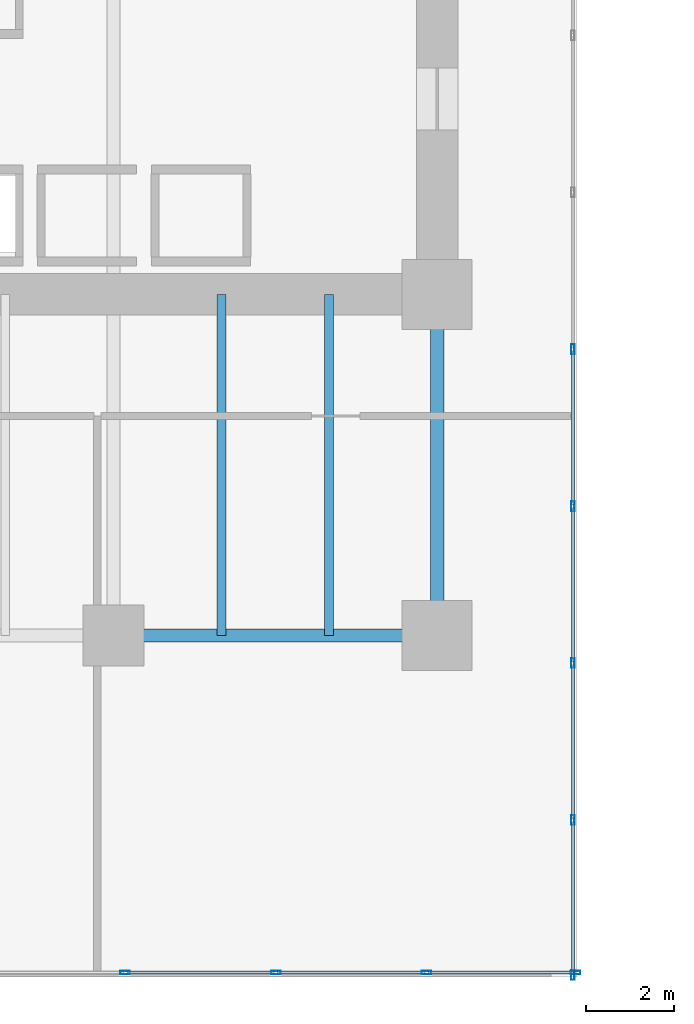
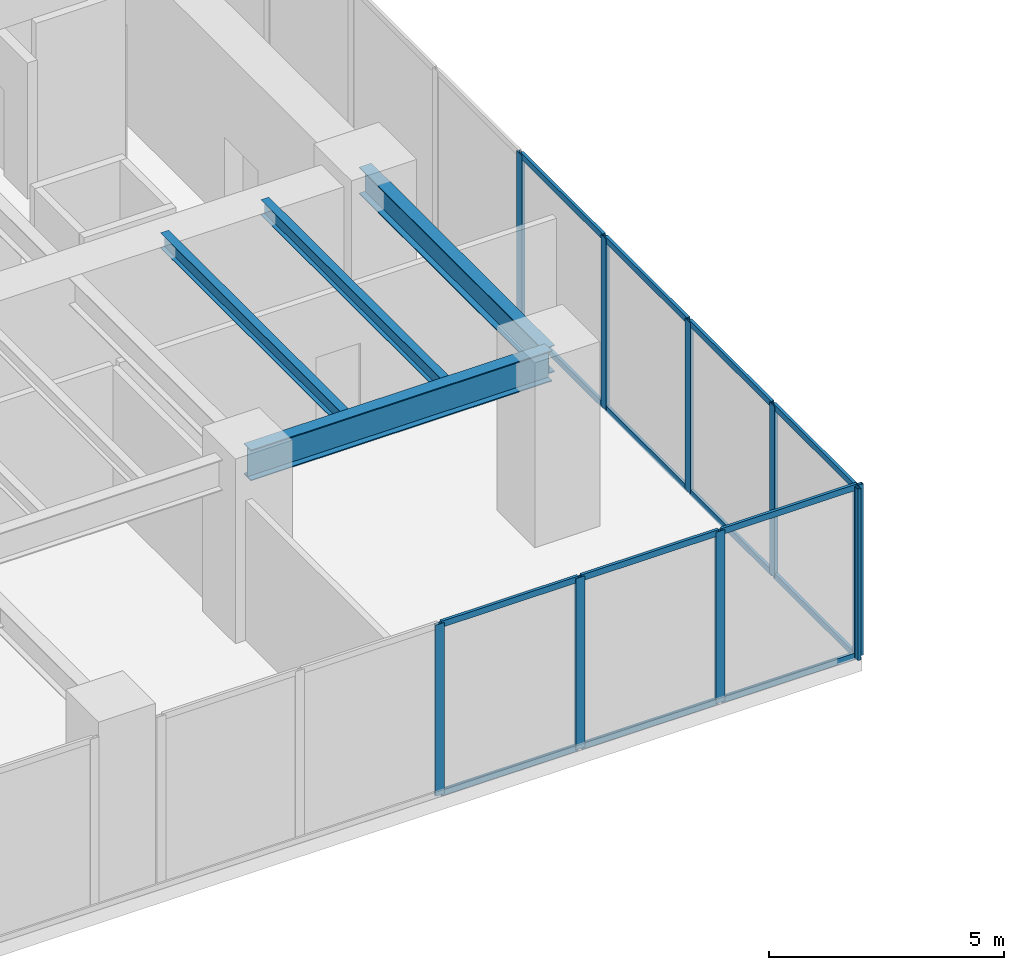
# One storey, part 4 of 32: 23 members, 4 beams, 2 elements without a shape of their own.
"""IFC4 building model written with IfcOpenShell, lengths in metres."""

from ifc_helpers import new_model, si_unit, direction, frame, origin, origin_2d, place, context, subcontext, project, spatial, hollow_rectangle, i_section, extrude, source, transform, mapped, material, layer, layer_set, material_profile, profile_set, type_object, type_shapes, element, aggregate, save


model = new_model("IFC4")

# Units and contexts
model_context = context("Model", 3, precision=1e-05, world=origin(), true_north=direction((0.0, 1.0)))
body_context = subcontext(model_context, "Body", "Model", "MODEL_VIEW")
ifc_project = project(units=[si_unit("LENGTHUNIT", "METRE"), si_unit("AREAUNIT", "SQUARE_METRE"), si_unit("VOLUMEUNIT", "CUBIC_METRE"), si_unit("PLANEANGLEUNIT", "RADIAN"), si_unit("MASSUNIT", "GRAM", prefix="KILO")], contexts=[model_context])

# Site, building, storey
site_placement = place(None, origin())
site = spatial("IfcSite", under=ifc_project, at=site_placement, CompositionType="ELEMENT")
building_placement = place(site_placement, origin())
building = spatial("IfcBuilding", under=site, at=building_placement, Name="Haelvirn Gate Laboratories", CompositionType="ELEMENT")
storey_placement = place(building_placement, frame((0.0, 0.0, 5.39990234375)))
storey = spatial("IfcBuildingStorey", under=building, at=storey_placement, Name="L02", CompositionType="ELEMENT", Elevation=5.39990234375)

# Beams
ifc_material_1 = material(Name="Steel SM420", Category="steel")
ifc_material_profile_1 = material_profile(ifc_material_1, i_section(OverallWidth=0.300048828125, OverallDepth=0.800048828125, WebThickness=0.013916015625, FlangeThickness=0.02587890625, at=origin_2d()), Name="H-800x300x14x26")
ifc_profile_set_1 = profile_set([ifc_material_profile_1], Name="Steel SM420")
beam_type_1 = type_object("IfcBeamType", Name="BM-G-800", PredefinedType="BEAM", material=ifc_profile_set_1)
shared_shape_1 = source(origin(), body_context, "Body", "SweptSolid", [
    extrude(i_section(OverallWidth=0.300048828125, OverallDepth=0.800048828125, WebThickness=0.013916015625, FlangeThickness=0.02587890625, at=origin_2d()), origin(), (0.0, 0.0, 1.0), 7.39990234375),
])
type_shapes(beam_type_1, [shared_shape_1])
beam_1_placement = place(storey_placement, frame((14.800048828125, 7.0, 4.050048828125), z_axis=(1.0, 0.0, 0.0), x_axis=(0.0, 1.0, 0.0)))
element("IfcBeam", 1, at=beam_1_placement, inside=storey, type_object=beam_type_1, Name="L02 Primary Girder Y7.0 (14.8-22.2)", PredefinedType="BEAM", context=body_context, shape_type="MappedRepresentation", body=[
    mapped(shared_shape_1, transform((0.0, 0.0, 0.0), scale=1.0)),
])
ifc_material_2 = material(Name="Steel SM355", Category="steel")
ifc_material_profile_2 = material_profile(ifc_material_2, i_section(OverallWidth=0.199951171875, OverallDepth=0.39990234375, WebThickness=0.008056640625, FlangeThickness=0.012939453125, at=origin_2d()), Name="H-400x200x8x13")
ifc_profile_set_2 = profile_set([ifc_material_profile_2], Name="Steel SM355")
beam_type_2 = type_object("IfcBeamType", Name="BM-J-400", PredefinedType="JOIST", material=ifc_profile_set_2)
shared_shape_2 = source(origin(), body_context, "Body", "SweptSolid", [
    extrude(i_section(OverallWidth=0.199951171875, OverallDepth=0.39990234375, WebThickness=0.008056640625, FlangeThickness=0.012939453125, at=origin_2d()), origin(), (0.0, 0.0, 1.0), 7.800048828125),
])
type_shapes(beam_type_2, [shared_shape_2])
for number, where, z_axis, x_axis, name in (
    (2, (17.27001953125, 7.0, 4.25), (0.0, 1.0, 0.0), (-1.0, 0.0, 0.0), "L02 Composite Lab Joist South X17.27"),
    (3, (19.72998046875, 7.0, 4.25), (0.0, 1.0, 0.0), (-1.0, 0.0, 0.0), "L02 Composite Lab Joist South X19.73"),
):
    element("IfcBeam", number, at=place(storey_placement, frame(where, z_axis=z_axis, x_axis=x_axis)), inside=storey, type_object=beam_type_2, Name=name, PredefinedType="JOIST", context=body_context, shape_type="MappedRepresentation", body=[
        mapped(shared_shape_2, transform((0.0, 0.0, 0.0), scale=1.0)),
    ])
ifc_material_profile_3 = material_profile(ifc_material_2, i_section(OverallWidth=0.300048828125, OverallDepth=0.699951171875, WebThickness=0.012939453125, FlangeThickness=0.02392578125, at=origin_2d()), Name="H-700x300x13x24")
ifc_profile_set_3 = profile_set([ifc_material_profile_3], Name="Steel SM355")
beam_type_3 = type_object("IfcBeamType", Name="BM-G-700", PredefinedType="BEAM", material=ifc_profile_set_3)
shared_shape_3 = source(origin(), body_context, "Body", "SweptSolid", [
    extrude(i_section(OverallWidth=0.300048828125, OverallDepth=0.699951171875, WebThickness=0.012939453125, FlangeThickness=0.02392578125, at=origin_2d()), origin(), (0.0, 0.0, 1.0), 7.800048828125),
])
type_shapes(beam_type_3, [shared_shape_3])
beam_2_placement = place(storey_placement, frame((22.199951171875, 7.0, 4.10009765625), z_axis=(0.0, 1.0, 0.0), x_axis=(-1.0, 0.0, 0.0)))
element("IfcBeam", 4, at=beam_2_placement, inside=storey, type_object=beam_type_3, Name="L02 Frame Girder X22.2 (7.0-14.8)", PredefinedType="BEAM", context=body_context, shape_type="MappedRepresentation", body=[
    mapped(shared_shape_3, transform((0.0, 0.0, 0.0), scale=1.0)),
])

# Curtain wall, members
ifc_material_3 = material(Name="Anodised bronze unitised aluminium & triple low-E glass", Category="aluminium")
ifc_layer = layer(ifc_material_3, 0.18798828125, Name="CW-SYS-1")
ifc_layer_set = layer_set([ifc_layer], Name="Anodised bronze unitised aluminium & triple low-E glass")
curtain_wall_type = type_object("IfcCurtainWallType", Name="CW-SYS-1", PredefinedType="NOTDEFINED", material=ifc_layer_set)
curtain_wall_1_placement = place(storey_placement, origin())
curtain_wall_1 = element("IfcCurtainWall", 5, at=curtain_wall_1_placement, inside=storey, type_object=curtain_wall_type, Name="L02 Unitised Curtain Wall CW-L02-P0-E00-1-S2", PredefinedType="NOTDEFINED")
ifc_material_4 = material(Name="Extruded aluminium 6063-T6 (anodised bronze)", Category="aluminium")
ifc_material_profile_4 = material_profile(ifc_material_4, hollow_rectangle(XDim=0.080078125, YDim=0.219970703125, WallThickness=0.006103515625, at=origin_2d()), Name="CWM-220x80x6")
ifc_profile_set_4 = profile_set([ifc_material_profile_4], Name="Extruded aluminium 6063-T6 (anodised bronze)")
member_type_1 = type_object("IfcMemberType", Name="CWM-T220", PredefinedType="MULLION", material=ifc_profile_set_4)
shared_shape_4 = source(origin(), body_context, "Body", "SweptSolid", [
    extrude(hollow_rectangle(XDim=0.080078125, YDim=0.219970703125, WallThickness=0.006103515625, at=origin_2d()), origin(), (0.0, 0.0, 1.0), 4.4501953125),
])
type_shapes(member_type_1, [shared_shape_4])
member_1_placement = place(storey_placement, frame((15.068115234375, -0.699951171875, 0.0), z_axis=(0.0, 0.0, 1.0), x_axis=(0.0, 1.0, 0.0)))
member_1 = element("IfcMember", 6, at=member_1_placement, type_object=member_type_1, Name="CW1 mullion 3", PredefinedType="MULLION", context=body_context, shape_type="MappedRepresentation", body=[
    mapped(shared_shape_4, transform((0.0, 0.0, 0.0), scale=1.0)),
])
member_2_placement = place(storey_placement, frame((18.511962890625, -0.699951171875, 0.0), z_axis=(0.0, 0.0, 1.0), x_axis=(0.0, 1.0, 0.0)))
member_2 = element("IfcMember", 7, at=member_2_placement, type_object=member_type_1, Name="CW1 mullion 4", PredefinedType="MULLION", context=body_context, shape_type="MappedRepresentation", body=[
    mapped(shared_shape_4, transform((0.0, 0.0, 0.0), scale=1.0)),
])
member_3_placement = place(storey_placement, frame((21.9560546875, -0.699951171875, 0.0), z_axis=(0.0, 0.0, 1.0), x_axis=(0.0, 1.0, 0.0)))
member_3 = element("IfcMember", 8, at=member_3_placement, type_object=member_type_1, Name="CW1 mullion 5", PredefinedType="MULLION", context=body_context, shape_type="MappedRepresentation", body=[
    mapped(shared_shape_4, transform((0.0, 0.0, 0.0), scale=1.0)),
])
member_4_placement = place(storey_placement, frame((25.360107421875, -0.699951171875, 0.0), z_axis=(0.0, 0.0, 1.0), x_axis=(0.0, 1.0, 0.0)))
member_4 = element("IfcMember", 9, at=member_4_placement, type_object=member_type_1, Name="CW1 mullion 6", PredefinedType="MULLION", context=body_context, shape_type="MappedRepresentation", body=[
    mapped(shared_shape_4, transform((0.0, 0.0, 0.0), scale=1.0)),
])

curtain_wall_2_placement = place(storey_placement, origin())
curtain_wall_2 = element("IfcCurtainWall", 10, at=curtain_wall_2_placement, inside=storey, type_object=curtain_wall_type, Name="L02 Unitised Curtain Wall CW-L02-P0-E01", PredefinedType="NOTDEFINED")
member_5_placement = place(storey_placement, frame((25.300048828125, -0.760009765625, 0.0), z_axis=(0.0, 0.0, 1.0), x_axis=(-1.0, 0.0, 0.0)))
member_5 = element("IfcMember", 11, at=member_5_placement, type_object=member_type_1, Name="CW1 mullion 1", PredefinedType="MULLION", context=body_context, shape_type="MappedRepresentation", body=[
    mapped(shared_shape_4, transform((0.0, 0.0, 0.0), scale=1.0)),
])
member_6_placement = place(storey_placement, frame((25.300048828125, 2.78564453125, 0.0), z_axis=(0.0, 0.0, 1.0), x_axis=(-1.0, 0.0, 0.0)))
member_6 = element("IfcMember", 12, at=member_6_placement, type_object=member_type_1, Name="CW1 mullion 2", PredefinedType="MULLION", context=body_context, shape_type="MappedRepresentation", body=[
    mapped(shared_shape_4, transform((0.0, 0.0, 0.0), scale=1.0)),
])
member_7_placement = place(storey_placement, frame((25.300048828125, 6.371337890625, 0.0), z_axis=(0.0, 0.0, 1.0), x_axis=(-1.0, 0.0, 0.0)))
member_7 = element("IfcMember", 13, at=member_7_placement, type_object=member_type_1, Name="CW1 mullion 3", PredefinedType="MULLION", context=body_context, shape_type="MappedRepresentation", body=[
    mapped(shared_shape_4, transform((0.0, 0.0, 0.0), scale=1.0)),
])
member_8_placement = place(storey_placement, frame((25.300048828125, 9.95703125, 0.0), z_axis=(0.0, 0.0, 1.0), x_axis=(-1.0, 0.0, 0.0)))
member_8 = element("IfcMember", 14, at=member_8_placement, type_object=member_type_1, Name="CW1 mullion 4", PredefinedType="MULLION", context=body_context, shape_type="MappedRepresentation", body=[
    mapped(shared_shape_4, transform((0.0, 0.0, 0.0), scale=1.0)),
])
member_9_placement = place(storey_placement, frame((25.300048828125, 13.54296875, 0.0), z_axis=(0.0, 0.0, 1.0), x_axis=(-1.0, 0.0, 0.0)))
member_9 = element("IfcMember", 15, at=member_9_placement, type_object=member_type_1, Name="CW1 mullion 5", PredefinedType="MULLION", context=body_context, shape_type="MappedRepresentation", body=[
    mapped(shared_shape_4, transform((0.0, 0.0, 0.0), scale=1.0)),
])

# Member
ifc_material_profile_5 = material_profile(ifc_material_4, hollow_rectangle(XDim=0.070068359375, YDim=0.159912109375, WallThickness=0.0048828125, at=origin_2d()), Name="CWT-160x70x5")
ifc_profile_set_5 = profile_set([ifc_material_profile_5], Name="Extruded aluminium 6063-T6 (anodised bronze)")
member_type_2 = type_object("IfcMemberType", Name="CWT-T160", PredefinedType="USERDEFINED", material=ifc_profile_set_5)
shared_shape_5 = source(origin(), body_context, "Body", "SweptSolid", [
    extrude(hollow_rectangle(XDim=0.070068359375, YDim=0.159912109375, WallThickness=0.0048828125, at=origin_2d()), origin(), (0.0, 0.0, 1.0), 3.323974609375),
])
member_10_placement = place(storey_placement, frame((21.99609375, -0.699951171875, 0.03515625), z_axis=(1.0, 0.0, 0.0), x_axis=(0.0, 1.0, 0.0)))
member_10 = element("IfcMember", 16, at=member_10_placement, type_object=member_type_2, Name="CW1 transom 5.1", ObjectType="TRANSOM", PredefinedType="USERDEFINED", context=body_context, shape_type="MappedRepresentation", body=[
    mapped(shared_shape_5, transform((0.0, 0.0, 0.0), scale=1.0)),
])

member_11_placement = place(storey_placement, frame((21.99609375, -0.699951171875, 4.4150390625), z_axis=(1.0, 0.0, 0.0), x_axis=(0.0, 1.0, 0.0)))
member_11 = element("IfcMember", 17, at=member_11_placement, type_object=member_type_2, Name="CW1 transom 5.2", ObjectType="TRANSOM", PredefinedType="USERDEFINED", context=body_context, shape_type="MappedRepresentation", body=[
    mapped(shared_shape_5, transform((0.0, 0.0, 0.0), scale=1.0)),
])

shared_shape_6 = source(origin(), body_context, "Body", "SweptSolid", [
    extrude(hollow_rectangle(XDim=0.070068359375, YDim=0.159912109375, WallThickness=0.0048828125, at=origin_2d()), origin(), (0.0, 0.0, 1.0), 3.364013671875),
])
member_12_placement = place(storey_placement, frame((15.10791015625, -0.699951171875, 0.03515625), z_axis=(1.0, 0.0, 0.0), x_axis=(0.0, 1.0, 0.0)))
member_12 = element("IfcMember", 18, at=member_12_placement, type_object=member_type_2, Name="CW1 transom 3.1", ObjectType="TRANSOM", PredefinedType="USERDEFINED", context=body_context, shape_type="MappedRepresentation", body=[
    mapped(shared_shape_6, transform((0.0, 0.0, 0.0), scale=1.0)),
])

member_13_placement = place(storey_placement, frame((15.10791015625, -0.699951171875, 4.4150390625), z_axis=(1.0, 0.0, 0.0), x_axis=(0.0, 1.0, 0.0)))
member_13 = element("IfcMember", 19, at=member_13_placement, type_object=member_type_2, Name="CW1 transom 3.2", ObjectType="TRANSOM", PredefinedType="USERDEFINED", context=body_context, shape_type="MappedRepresentation", body=[
    mapped(shared_shape_6, transform((0.0, 0.0, 0.0), scale=1.0)),
])

member_14_placement = place(storey_placement, frame((18.552001953125, -0.699951171875, 0.03515625), z_axis=(1.0, 0.0, 0.0), x_axis=(0.0, 1.0, 0.0)))
member_14 = element("IfcMember", 20, at=member_14_placement, type_object=member_type_2, Name="CW1 transom 4.1", ObjectType="TRANSOM", PredefinedType="USERDEFINED", context=body_context, shape_type="MappedRepresentation", body=[
    mapped(shared_shape_6, transform((0.0, 0.0, 0.0), scale=1.0)),
])

member_15_placement = place(storey_placement, frame((18.552001953125, -0.699951171875, 4.4150390625), z_axis=(1.0, 0.0, 0.0), x_axis=(0.0, 1.0, 0.0)))
member_15 = element("IfcMember", 21, at=member_15_placement, type_object=member_type_2, Name="CW1 transom 4.2", ObjectType="TRANSOM", PredefinedType="USERDEFINED", context=body_context, shape_type="MappedRepresentation", body=[
    mapped(shared_shape_6, transform((0.0, 0.0, 0.0), scale=1.0)),
])

aggregate(curtain_wall_1, [member_1, member_2, member_3, member_4, member_12, member_13, member_14, member_15, member_10, member_11])

shared_shape_7 = source(origin(), body_context, "Body", "SweptSolid", [
    extrude(hollow_rectangle(XDim=0.070068359375, YDim=0.159912109375, WallThickness=0.0048828125, at=origin_2d()), origin(), (0.0, 0.0, 1.0), 3.465576171875),
])
member_16_placement = place(storey_placement, frame((25.300048828125, -0.719970703125, 0.03515625), z_axis=(0.0, 1.0, 0.0), x_axis=(-1.0, 0.0, 0.0)))
member_16 = element("IfcMember", 22, at=member_16_placement, type_object=member_type_2, Name="CW1 transom 1.1", ObjectType="TRANSOM", PredefinedType="USERDEFINED", context=body_context, shape_type="MappedRepresentation", body=[
    mapped(shared_shape_7, transform((0.0, 0.0, 0.0), scale=1.0)),
])

member_17_placement = place(storey_placement, frame((25.300048828125, -0.719970703125, 4.4150390625), z_axis=(0.0, 1.0, 0.0), x_axis=(-1.0, 0.0, 0.0)))
member_17 = element("IfcMember", 23, at=member_17_placement, type_object=member_type_2, Name="CW1 transom 1.2", ObjectType="TRANSOM", PredefinedType="USERDEFINED", context=body_context, shape_type="MappedRepresentation", body=[
    mapped(shared_shape_7, transform((0.0, 0.0, 0.0), scale=1.0)),
])

shared_shape_8 = source(origin(), body_context, "Body", "SweptSolid", [
    extrude(hollow_rectangle(XDim=0.070068359375, YDim=0.159912109375, WallThickness=0.0048828125, at=origin_2d()), origin(), (0.0, 0.0, 1.0), 3.505859375),
])
type_shapes(member_type_2, [shared_shape_5, shared_shape_6, shared_shape_7, shared_shape_8])
member_18_placement = place(storey_placement, frame((25.300048828125, 2.82568359375, 0.03515625), z_axis=(0.0, 1.0, 0.0), x_axis=(-1.0, 0.0, 0.0)))
member_18 = element("IfcMember", 24, at=member_18_placement, type_object=member_type_2, Name="CW1 transom 2.1", ObjectType="TRANSOM", PredefinedType="USERDEFINED", context=body_context, shape_type="MappedRepresentation", body=[
    mapped(shared_shape_8, transform((0.0, 0.0, 0.0), scale=1.0)),
])

member_19_placement = place(storey_placement, frame((25.300048828125, 2.82568359375, 4.4150390625), z_axis=(0.0, 1.0, 0.0), x_axis=(-1.0, 0.0, 0.0)))
member_19 = element("IfcMember", 25, at=member_19_placement, type_object=member_type_2, Name="CW1 transom 2.2", ObjectType="TRANSOM", PredefinedType="USERDEFINED", context=body_context, shape_type="MappedRepresentation", body=[
    mapped(shared_shape_8, transform((0.0, 0.0, 0.0), scale=1.0)),
])

member_20_placement = place(storey_placement, frame((25.300048828125, 6.411376953125, 0.03515625), z_axis=(0.0, 1.0, 0.0), x_axis=(-1.0, 0.0, 0.0)))
member_20 = element("IfcMember", 26, at=member_20_placement, type_object=member_type_2, Name="CW1 transom 3.1", ObjectType="TRANSOM", PredefinedType="USERDEFINED", context=body_context, shape_type="MappedRepresentation", body=[
    mapped(shared_shape_8, transform((0.0, 0.0, 0.0), scale=1.0)),
])

member_21_placement = place(storey_placement, frame((25.300048828125, 6.411376953125, 4.4150390625), z_axis=(0.0, 1.0, 0.0), x_axis=(-1.0, 0.0, 0.0)))
member_21 = element("IfcMember", 27, at=member_21_placement, type_object=member_type_2, Name="CW1 transom 3.2", ObjectType="TRANSOM", PredefinedType="USERDEFINED", context=body_context, shape_type="MappedRepresentation", body=[
    mapped(shared_shape_8, transform((0.0, 0.0, 0.0), scale=1.0)),
])

member_22_placement = place(storey_placement, frame((25.300048828125, 9.9970703125, 0.03515625), z_axis=(0.0, 1.0, 0.0), x_axis=(-1.0, 0.0, 0.0)))
member_22 = element("IfcMember", 28, at=member_22_placement, type_object=member_type_2, Name="CW1 transom 4.1", ObjectType="TRANSOM", PredefinedType="USERDEFINED", context=body_context, shape_type="MappedRepresentation", body=[
    mapped(shared_shape_8, transform((0.0, 0.0, 0.0), scale=1.0)),
])

member_23_placement = place(storey_placement, frame((25.300048828125, 9.9970703125, 4.4150390625), z_axis=(0.0, 1.0, 0.0), x_axis=(-1.0, 0.0, 0.0)))
member_23 = element("IfcMember", 29, at=member_23_placement, type_object=member_type_2, Name="CW1 transom 4.2", ObjectType="TRANSOM", PredefinedType="USERDEFINED", context=body_context, shape_type="MappedRepresentation", body=[
    mapped(shared_shape_8, transform((0.0, 0.0, 0.0), scale=1.0)),
])

aggregate(curtain_wall_2, [member_5, member_6, member_7, member_8, member_9, member_16, member_17, member_18, member_19, member_20, member_21, member_22, member_23])

save(model, "model.ifc")
